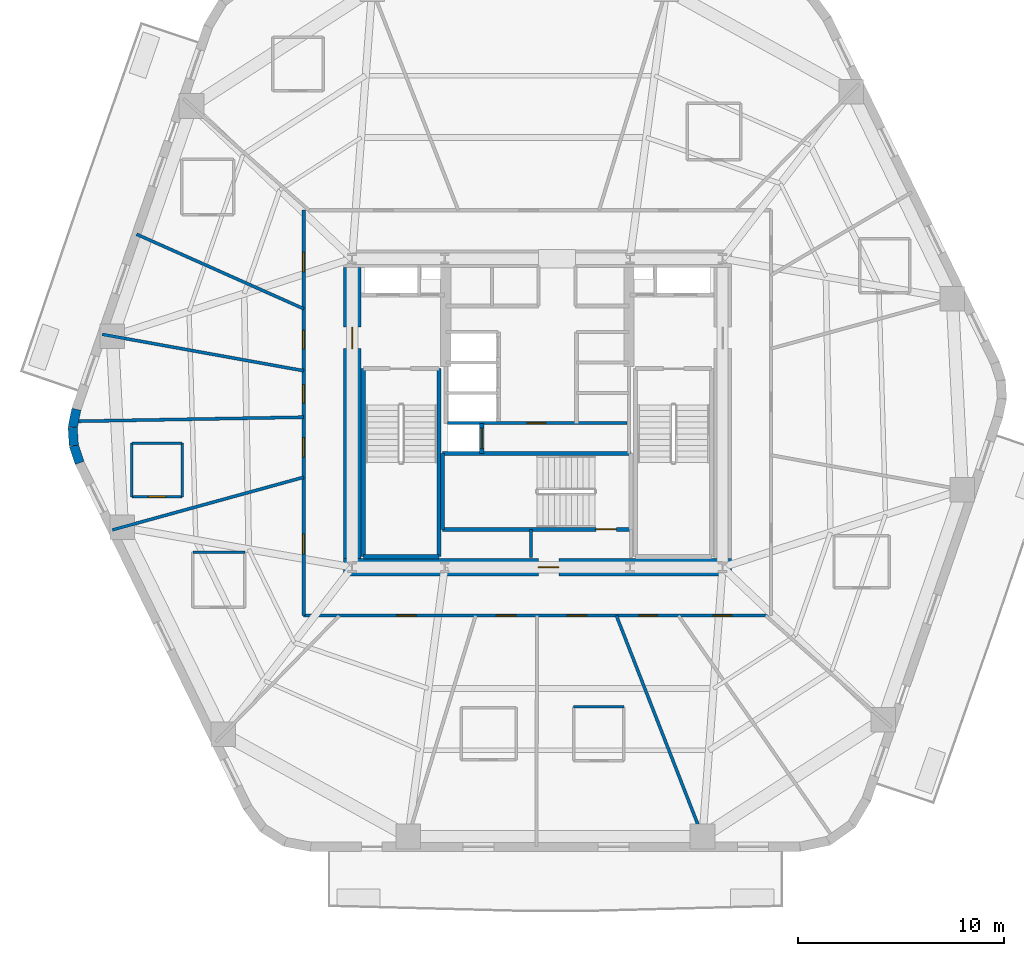
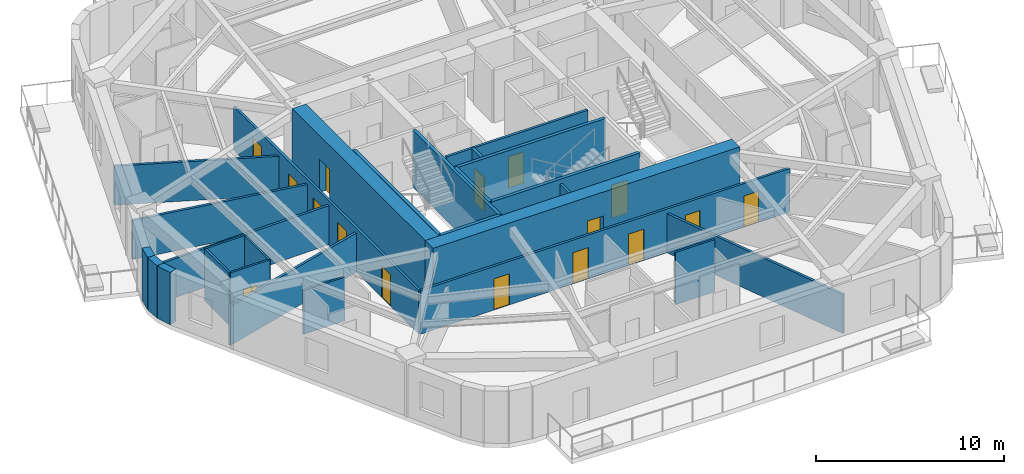
# One storey, part 3 of 8: 27 walls, 16 doors, 16 openings.
"""IFC4 building model written with IfcOpenShell, lengths in metres."""

from ifc_helpers import new_model, si_unit, direction, frame, frame_2d, origin, place, context, subcontext, project, spatial, rectangle, extrude, material, layer, layer_set, type_object, element, fill, save


model = new_model("IFC4")

# Units and contexts
model_context = context("Model", 3, precision=1e-05, world=origin(), true_north=direction((0.0, 1.0)))
body_context = subcontext(model_context, "Body", "Model", "MODEL_VIEW")
ifc_project = project(units=[si_unit("LENGTHUNIT", "METRE"), si_unit("AREAUNIT", "SQUARE_METRE"), si_unit("VOLUMEUNIT", "CUBIC_METRE"), si_unit("PLANEANGLEUNIT", "RADIAN"), si_unit("MASSUNIT", "GRAM", prefix="KILO")], contexts=[model_context])

# Site, building, storey
site_placement = place(None, origin())
site = spatial("IfcSite", under=ifc_project, at=site_placement, CompositionType="ELEMENT")
building_placement = place(site_placement, origin())
building = spatial("IfcBuilding", under=site, at=building_placement, Name="Kilnhurst Terrace Hotel", CompositionType="ELEMENT")
storey_placement = place(building_placement, frame((0.0, 0.0, 106.199951171875)))
storey = spatial("IfcBuildingStorey", under=building, at=storey_placement, Name="L25", CompositionType="ELEMENT", Elevation=106.199951171875)

# Walls
ifc_material_1 = material(Name="Precast concrete C40/50", Category="concrete")
ifc_layer_1 = layer(ifc_material_1, 0.449951171875, Name="Precast concrete C40/50")
ifc_layer_set_1 = layer_set([ifc_layer_1], Name="Precast concrete C40/50")
wall_type_1 = type_object("IfcWallType", Name="WL-BRK-450", PredefinedType="SOLIDWALL", material=ifc_layer_set_1)
wall_1_placement = place(storey_placement, frame((-22.39697265625, 0.17919921875, 0.0), z_axis=(0.0, 0.0, 1.0), x_axis=(-0.199313589404, -0.979935759669, 0.0)))
element("IfcWall", 1, at=wall_1_placement, inside=storey, type_object=wall_type_1, Name="L25 Rounded Corner Brick Wall C6.1", PredefinedType="SOLIDWALL", context=body_context, shape_type="SweptSolid", body=[
    extrude(rectangle(XDim=0.8955078125, YDim=0.449951171875, at=frame_2d((0.44775390625, 0.0))), origin(), (0.0, 0.0, 1.0), 3.400146484375),
])
wall_2_placement = place(storey_placement, frame((-22.575439453125, -0.6982421875, 0.0), z_axis=(0.0, 0.0, 1.0), x_axis=(0.060980441946, -0.998138961117, 0.0)))
element("IfcWall", 2, at=wall_2_placement, inside=storey, type_object=wall_type_1, Name="L25 Rounded Corner Brick Wall C6.2", PredefinedType="SOLIDWALL", context=body_context, shape_type="SweptSolid", body=[
    extrude(rectangle(XDim=0.880859375, YDim=0.449951171875, at=frame_2d((0.4404296875, 0.0))), origin(), (0.0, 0.0, 1.0), 3.400146484375),
])
wall_3_placement = place(storey_placement, frame((-22.521728515625, -1.577392578125, 0.0), z_axis=(0.0, 0.0, 1.0), x_axis=(0.317372694837, -0.948300887151, 0.0)))
element("IfcWall", 3, at=wall_3_placement, inside=storey, type_object=wall_type_1, Name="L25 Rounded Corner Brick Wall C6.3", PredefinedType="SOLIDWALL", context=body_context, shape_type="SweptSolid", body=[
    extrude(rectangle(XDim=0.8955078125, YDim=0.449951171875, at=frame_2d((0.44775390625, 0.0))), origin(), (0.0, 0.0, 1.0), 3.400146484375),
])

# Wall, openings, doors
ifc_material_2 = material(Name="Acoustic Double-Gypsum Corridor Partition Assembly")
ifc_layer_2 = layer(ifc_material_2, 0.14990234375, Name="Acoustic Double-Gypsum Corridor Partition Assembly")
ifc_layer_set_2 = layer_set([ifc_layer_2], Name="Acoustic Double-Gypsum Corridor Partition Assembly")
wall_type_2 = type_object("IfcWallType", Name="WL-COR-150", PredefinedType="PARTITIONING", material=ifc_layer_set_2)
wall_4_placement = place(storey_placement, frame((-11.35009765625, -9.85009765625, 0.0), z_axis=(0.0, 0.0, 1.0), x_axis=(0.0, 1.0, 0.0)))
wall_4 = element("IfcWall", 4, at=wall_4_placement, inside=storey, type_object=wall_type_2, Name="L25 Interior Wall WL-L25-COR-01", PredefinedType="PARTITIONING", context=body_context, shape_type="SweptSolid", body=[
    extrude(rectangle(XDim=19.7001953125, YDim=0.14990234375, at=frame_2d((9.85009765625, 0.0))), origin(), (0.0, 0.0, 1.0), 2.840087890625),
])
opening_1_placement = place(wall_4_placement, frame((16.7109375, 0.0, 0.0)))
opening_1 = element("IfcOpeningElement", 5, at=opening_1_placement, cuts=wall_4, Name="Opening D-60B", PredefinedType="OPENING", context=body_context, shape_type="SweptSolid", body=[
    extrude(rectangle(XDim=0.949951171875, YDim=2.030029296875, at=frame_2d((0.47509765625, 1.01513671875))), frame((0.0, 0.0849609375, 0.0), z_axis=(0.0, -1.0, 0.0), x_axis=(1.0, 0.0, 0.0)), (0.0, 0.0, 1.0), 0.169921875),
])
opening_2_placement = place(wall_4_placement, frame((12.968017578125, 0.0, 0.0)))
opening_2 = element("IfcOpeningElement", 6, at=opening_2_placement, cuts=wall_4, Name="Opening D-60C", PredefinedType="OPENING", context=body_context, shape_type="SweptSolid", body=[
    extrude(rectangle(XDim=0.89990234375, YDim=2.030029296875, at=frame_2d((0.449951171875, 1.01513671875))), frame((0.0, 0.0849609375, 0.0), z_axis=(0.0, -1.0, 0.0), x_axis=(1.0, 0.0, 0.0)), (0.0, 0.0, 1.0), 0.169921875),
])
opening_3_placement = place(wall_4_placement, frame((10.324951171875, 0.0, 0.0)))
opening_3 = element("IfcOpeningElement", 7, at=opening_3_placement, cuts=wall_4, Name="Opening D-60C", PredefinedType="OPENING", context=body_context, shape_type="SweptSolid", body=[
    extrude(rectangle(XDim=0.89990234375, YDim=2.030029296875, at=frame_2d((0.449951171875, 1.01513671875))), frame((0.0, 0.0849609375, 0.0), z_axis=(0.0, -1.0, 0.0), x_axis=(1.0, 0.0, 0.0)), (0.0, 0.0, 1.0), 0.169921875),
])
opening_4_placement = place(wall_4_placement, frame((7.7060546875, 0.0, 0.0)))
opening_4 = element("IfcOpeningElement", 8, at=opening_4_placement, cuts=wall_4, Name="Opening D-60B", PredefinedType="OPENING", context=body_context, shape_type="SweptSolid", body=[
    extrude(rectangle(XDim=0.949951171875, YDim=2.030029296875, at=frame_2d((0.47509765625, 1.01513671875))), frame((0.0, 0.0849609375, 0.0), z_axis=(0.0, -1.0, 0.0), x_axis=(1.0, 0.0, 0.0)), (0.0, 0.0, 1.0), 0.169921875),
])
opening_5_placement = place(wall_4_placement, frame((3.008056640625, 0.0, 0.0)))
opening_5 = element("IfcOpeningElement", 9, at=opening_5_placement, cuts=wall_4, Name="Opening D-60B", PredefinedType="OPENING", context=body_context, shape_type="SweptSolid", body=[
    extrude(rectangle(XDim=0.949951171875, YDim=2.030029296875, at=frame_2d((0.47509765625, 1.01513671875))), frame((0.0, 0.0849609375, 0.0), z_axis=(0.0, -1.0, 0.0), x_axis=(1.0, 0.0, 0.0)), (0.0, 0.0, 1.0), 0.169921875),
])
ifc_material_3 = material(Name="Painted Solid-Core Service Fire Door")
door_type_1 = type_object("IfcDoorType", Name="DR-FD60-900", OperationType="NOTDEFINED", PredefinedType="DOOR", material=ifc_material_3)
door_1_placement = place(opening_2_placement, origin())
door_1 = element("IfcDoor", 10, at=door_1_placement, inside=storey, type_object=door_type_1, Name="L25 Executive Work Office Door 7", OperationType="SINGLE_SWING_LEFT", OverallHeight=2.030029296875, OverallWidth=0.89990234375, PredefinedType="DOOR", context=body_context, shape_type="SweptSolid", body=[
    extrude(rectangle(XDim=0.89990234375, YDim=2.030029296875, at=frame_2d((0.449951171875, 1.01513671875))), frame((0.0, 0.02490234375, 0.0), z_axis=(0.0, -1.0, 0.0), x_axis=(1.0, 0.0, 0.0)), (0.0, 0.0, 1.0), 0.050048828125),
])
fill(opening_2, door_1)
door_2_placement = place(opening_3_placement, origin())
door_2 = element("IfcDoor", 11, at=door_2_placement, inside=storey, type_object=door_type_1, Name="L25 Botanical Reading Lounge Door 8", OperationType="SINGLE_SWING_RIGHT", OverallHeight=2.030029296875, OverallWidth=0.89990234375, PredefinedType="DOOR", context=body_context, shape_type="SweptSolid", body=[
    extrude(rectangle(XDim=0.89990234375, YDim=2.030029296875, at=frame_2d((0.449951171875, 1.01513671875))), frame((0.0, 0.02490234375, 0.0), z_axis=(0.0, -1.0, 0.0), x_axis=(1.0, 0.0, 0.0)), (0.0, 0.0, 1.0), 0.050048828125),
])
fill(opening_3, door_2)
ifc_material_4 = material(Name="Acoustic Walnut Veneer Solid-Core Fire Door")
door_type_2 = type_object("IfcDoorType", Name="DR-FD60-950", OperationType="NOTDEFINED", PredefinedType="DOOR", material=ifc_material_4)
door_3_placement = place(opening_1_placement, origin())
door_3 = element("IfcDoor", 12, at=door_3_placement, inside=storey, type_object=door_type_2, Name="L25 Guest Room Entry Door 6", OperationType="SINGLE_SWING_RIGHT", OverallHeight=2.030029296875, OverallWidth=0.949951171875, PredefinedType="DOOR", context=body_context, shape_type="SweptSolid", body=[
    extrude(rectangle(XDim=0.949951171875, YDim=2.030029296875, at=frame_2d((0.47509765625, 1.01513671875))), frame((0.0, 0.02490234375, 0.0), z_axis=(0.0, -1.0, 0.0), x_axis=(1.0, 0.0, 0.0)), (0.0, 0.0, 1.0), 0.050048828125),
])
fill(opening_1, door_3)
door_4_placement = place(opening_4_placement, origin())
door_4 = element("IfcDoor", 13, at=door_4_placement, inside=storey, type_object=door_type_2, Name="L25 Guest Room Entry Door 9", OperationType="SINGLE_SWING_LEFT", OverallHeight=2.030029296875, OverallWidth=0.949951171875, PredefinedType="DOOR", context=body_context, shape_type="SweptSolid", body=[
    extrude(rectangle(XDim=0.949951171875, YDim=2.030029296875, at=frame_2d((0.47509765625, 1.01513671875))), frame((0.0, 0.02490234375, 0.0), z_axis=(0.0, -1.0, 0.0), x_axis=(1.0, 0.0, 0.0)), (0.0, 0.0, 1.0), 0.050048828125),
])
fill(opening_4, door_4)
door_5_placement = place(opening_5_placement, origin())
door_5 = element("IfcDoor", 14, at=door_5_placement, inside=storey, type_object=door_type_2, Name="L25 Executive Suite Entry Door 10", OperationType="SINGLE_SWING_RIGHT", OverallHeight=2.030029296875, OverallWidth=0.949951171875, PredefinedType="DOOR", context=body_context, shape_type="SweptSolid", body=[
    extrude(rectangle(XDim=0.949951171875, YDim=2.030029296875, at=frame_2d((0.47509765625, 1.01513671875))), frame((0.0, 0.02490234375, 0.0), z_axis=(0.0, -1.0, 0.0), x_axis=(1.0, 0.0, 0.0)), (0.0, 0.0, 1.0), 0.050048828125),
])
fill(opening_5, door_5)

wall_5_placement = place(storey_placement, frame((11.35009765625, -9.85009765625, 0.0), z_axis=(0.0, 0.0, 1.0), x_axis=(-1.0, 0.0, 0.0)))
wall_5 = element("IfcWall", 15, at=wall_5_placement, inside=storey, type_object=wall_type_2, Name="L25 Interior Wall WL-L25-COR-04", PredefinedType="PARTITIONING", context=body_context, shape_type="SweptSolid", body=[
    extrude(rectangle(XDim=22.7001953125, YDim=0.14990234375, at=frame_2d((11.35009765625, 0.0))), origin(), (0.0, 0.0, 1.0), 2.840087890625),
])
opening_6_placement = place(wall_5_placement, frame((17.237060546875, 0.0, 0.0)))
opening_6 = element("IfcOpeningElement", 16, at=opening_6_placement, cuts=wall_5, Name="Opening D-60B", PredefinedType="OPENING", context=body_context, shape_type="SweptSolid", body=[
    extrude(rectangle(XDim=0.949951171875, YDim=2.030029296875, at=frame_2d((0.47509765625, 1.01513671875))), frame((0.0, 0.0849609375, 0.0), z_axis=(0.0, -1.0, 0.0), x_axis=(1.0, 0.0, 0.0)), (0.0, 0.0, 1.0), 0.169921875),
])
opening_7_placement = place(wall_5_placement, frame((12.389892578125, 0.0, 0.0)))
opening_7 = element("IfcOpeningElement", 17, at=opening_7_placement, cuts=wall_5, Name="Opening D-60B", PredefinedType="OPENING", context=body_context, shape_type="SweptSolid", body=[
    extrude(rectangle(XDim=0.949951171875, YDim=2.030029296875, at=frame_2d((0.47509765625, 1.01513671875))), frame((0.0, 0.0849609375, 0.0), z_axis=(0.0, -1.0, 0.0), x_axis=(1.0, 0.0, 0.0)), (0.0, 0.0, 1.0), 0.169921875),
])
opening_8_placement = place(wall_5_placement, frame((8.9541015625, 0.0, 0.0)))
opening_8 = element("IfcOpeningElement", 18, at=opening_8_placement, cuts=wall_5, Name="Opening D-60B", PredefinedType="OPENING", context=body_context, shape_type="SweptSolid", body=[
    extrude(rectangle(XDim=0.949951171875, YDim=2.030029296875, at=frame_2d((0.47509765625, 1.01513671875))), frame((0.0, 0.0849609375, 0.0), z_axis=(0.0, -1.0, 0.0), x_axis=(1.0, 0.0, 0.0)), (0.0, 0.0, 1.0), 0.169921875),
])
opening_9_placement = place(wall_5_placement, frame((5.52197265625, 0.0, 0.0)))
opening_9 = element("IfcOpeningElement", 19, at=opening_9_placement, cuts=wall_5, Name="Opening D-60C", PredefinedType="OPENING", context=body_context, shape_type="SweptSolid", body=[
    extrude(rectangle(XDim=0.89990234375, YDim=2.030029296875, at=frame_2d((0.449951171875, 1.01513671875))), frame((0.0, 0.0849609375, 0.0), z_axis=(0.0, -1.0, 0.0), x_axis=(1.0, 0.0, 0.0)), (0.0, 0.0, 1.0), 0.169921875),
])
opening_10_placement = place(wall_5_placement, frame((1.9140625, 0.0, 0.0)))
opening_10 = element("IfcOpeningElement", 20, at=opening_10_placement, cuts=wall_5, Name="Opening D-60C", PredefinedType="OPENING", context=body_context, shape_type="SweptSolid", body=[
    extrude(rectangle(XDim=0.89990234375, YDim=2.030029296875, at=frame_2d((0.449951171875, 1.01513671875))), frame((0.0, 0.0849609375, 0.0), z_axis=(0.0, -1.0, 0.0), x_axis=(1.0, 0.0, 0.0)), (0.0, 0.0, 1.0), 0.169921875),
])
door_6_placement = place(opening_9_placement, origin())
door_6 = element("IfcDoor", 21, at=door_6_placement, inside=storey, type_object=door_type_1, Name="L25 Private Meeting Salon Door 14", OperationType="SINGLE_SWING_RIGHT", OverallHeight=2.030029296875, OverallWidth=0.89990234375, PredefinedType="DOOR", context=body_context, shape_type="SweptSolid", body=[
    extrude(rectangle(XDim=0.89990234375, YDim=2.030029296875, at=frame_2d((0.449951171875, 1.01513671875))), frame((0.0, 0.02490234375, 0.0), z_axis=(0.0, -1.0, 0.0), x_axis=(1.0, 0.0, 0.0)), (0.0, 0.0, 1.0), 0.050048828125),
])
fill(opening_9, door_6)
door_7_placement = place(opening_10_placement, origin())
door_7 = element("IfcDoor", 22, at=door_7_placement, inside=storey, type_object=door_type_1, Name="L25 Wellness Consultation Room Door 15", OperationType="SINGLE_SWING_LEFT", OverallHeight=2.030029296875, OverallWidth=0.89990234375, PredefinedType="DOOR", context=body_context, shape_type="SweptSolid", body=[
    extrude(rectangle(XDim=0.89990234375, YDim=2.030029296875, at=frame_2d((0.449951171875, 1.01513671875))), frame((0.0, 0.02490234375, 0.0), z_axis=(0.0, -1.0, 0.0), x_axis=(1.0, 0.0, 0.0)), (0.0, 0.0, 1.0), 0.050048828125),
])
fill(opening_10, door_7)
door_8_placement = place(opening_6_placement, origin())
door_8 = element("IfcDoor", 23, at=door_8_placement, inside=storey, type_object=door_type_2, Name="L25 Fitness Movement Studio Door", OperationType="SINGLE_SWING_LEFT", OverallHeight=2.030029296875, OverallWidth=0.949951171875, PredefinedType="DOOR", context=body_context, shape_type="SweptSolid", body=[
    extrude(rectangle(XDim=0.949951171875, YDim=2.030029296875, at=frame_2d((0.47509765625, 1.01513671875))), frame((0.0, 0.02490234375, 0.0), z_axis=(0.0, -1.0, 0.0), x_axis=(1.0, 0.0, 0.0)), (0.0, 0.0, 1.0), 0.050048828125),
])
fill(opening_6, door_8)
door_9_placement = place(opening_7_placement, origin())
door_9 = element("IfcDoor", 24, at=door_9_placement, inside=storey, type_object=door_type_2, Name="L25 Guest Room Entry Door 12", OperationType="SINGLE_SWING_RIGHT", OverallHeight=2.030029296875, OverallWidth=0.949951171875, PredefinedType="DOOR", context=body_context, shape_type="SweptSolid", body=[
    extrude(rectangle(XDim=0.949951171875, YDim=2.030029296875, at=frame_2d((0.47509765625, 1.01513671875))), frame((0.0, 0.02490234375, 0.0), z_axis=(0.0, -1.0, 0.0), x_axis=(1.0, 0.0, 0.0)), (0.0, 0.0, 1.0), 0.050048828125),
])
fill(opening_7, door_9)
door_10_placement = place(opening_8_placement, origin())
door_10 = element("IfcDoor", 25, at=door_10_placement, inside=storey, type_object=door_type_2, Name="L25 Guest Room Entry Door 13", OperationType="SINGLE_SWING_LEFT", OverallHeight=2.030029296875, OverallWidth=0.949951171875, PredefinedType="DOOR", context=body_context, shape_type="SweptSolid", body=[
    extrude(rectangle(XDim=0.949951171875, YDim=2.030029296875, at=frame_2d((0.47509765625, 1.01513671875))), frame((0.0, 0.02490234375, 0.0), z_axis=(0.0, -1.0, 0.0), x_axis=(1.0, 0.0, 0.0)), (0.0, 0.0, 1.0), 0.050048828125),
])
fill(opening_8, door_10)

# Wall, opening, door
ifc_material_5 = material(Name="Concrete C80/95", Category="concrete")
ifc_layer_3 = layer(ifc_material_5, 0.85009765625, Name="Concrete C80/95")
ifc_layer_set_3 = layer_set([ifc_layer_3], Name="Concrete C80/95")
wall_type_3 = type_object("IfcWallType", Name="WL-CORE-850", PredefinedType="SHEAR", material=ifc_layer_set_3)
wall_6_placement = place(storey_placement, frame((-9.425048828125, -7.5, 0.0), z_axis=(0.0, 0.0, 1.0), x_axis=(1.0, 0.0, 0.0)))
wall_6 = element("IfcWall", 26, at=wall_6_placement, inside=storey, type_object=wall_type_3, Name="L25 Core South Shear Wall", PredefinedType="SHEAR", context=body_context, shape_type="SweptSolid", body=[
    extrude(rectangle(XDim=18.85009765625, YDim=0.85009765625, at=frame_2d((9.425048828125, 0.0))), origin(), (0.0, 0.0, 1.0), 3.699951171875),
])
opening_11_placement = place(wall_6_placement, frame((9.47509765625, 0.0, 0.0)))
opening_11 = element("IfcOpeningElement", 27, at=opening_11_placement, cuts=wall_6, Name="Opening D-90B", PredefinedType="OPENING", context=body_context, shape_type="SweptSolid", body=[
    extrude(rectangle(XDim=1.0, YDim=2.14990234375, at=frame_2d((0.5, 1.074951171875))), frame((0.0, 0.43505859375, 0.0), z_axis=(0.0, -1.0, 0.0), x_axis=(1.0, 0.0, 0.0)), (0.0, 0.0, 1.0), 0.8701171875),
])
ifc_material_6 = material(Name="Painted Hollow Metal Steel ASTM A36 Fire Door", Category="steel")
door_type_3 = type_object("IfcDoorType", Name="DR-FD90-1000", OperationType="NOTDEFINED", PredefinedType="DOOR", material=ifc_material_6)
door_11_placement = place(opening_11_placement, origin())
door_11 = element("IfcDoor", 28, at=door_11_placement, inside=storey, type_object=door_type_3, Name="L25 Stair ST-3 Corridor Door", OperationType="SINGLE_SWING_RIGHT", OverallHeight=2.14990234375, OverallWidth=1.0, PredefinedType="DOOR", context=body_context, shape_type="SweptSolid", body=[
    extrude(rectangle(XDim=1.0, YDim=2.14990234375, at=frame_2d((0.5, 1.074951171875))), frame((0.0, 0.02490234375, 0.0), z_axis=(0.0, -1.0, 0.0), x_axis=(1.0, 0.0, 0.0)), (0.0, 0.0, 1.0), 0.050048828125),
])
fill(opening_11, door_11)

wall_7_placement = place(storey_placement, frame((-9.0, -7.074951171875, 0.0), z_axis=(0.0, 0.0, 1.0), x_axis=(0.0, 1.0, 0.0)))
wall_7 = element("IfcWall", 29, at=wall_7_placement, inside=storey, type_object=wall_type_3, Name="L25 Core West Shear Wall", PredefinedType="SHEAR", context=body_context, shape_type="SweptSolid", body=[
    extrude(rectangle(XDim=14.14990234375, YDim=0.85009765625, at=frame_2d((7.074951171875, 0.0))), origin(), (0.0, 0.0, 1.0), 3.699951171875),
])
opening_12_placement = place(wall_7_placement, frame((10.199951171875, 0.0, 0.0)))
opening_12 = element("IfcOpeningElement", 30, at=opening_12_placement, cuts=wall_7, Name="Opening D-90A", PredefinedType="OPENING", context=body_context, shape_type="SweptSolid", body=[
    extrude(rectangle(XDim=1.050048828125, YDim=2.14990234375, at=frame_2d((0.52490234375, 1.074951171875))), frame((0.0, 0.43505859375, 0.0), z_axis=(0.0, -1.0, 0.0), x_axis=(1.0, 0.0, 0.0)), (0.0, 0.0, 1.0), 0.8701171875),
])
door_type_4 = type_object("IfcDoorType", Name="DR-FD90-1050", OperationType="NOTDEFINED", PredefinedType="DOOR", material=ifc_material_6)
door_12_placement = place(opening_12_placement, origin())
door_12 = element("IfcDoor", 31, at=door_12_placement, inside=storey, type_object=door_type_4, Name="L25 West Firefighting Lobby Door", OperationType="SINGLE_SWING_RIGHT", OverallHeight=2.14990234375, OverallWidth=1.050048828125, PredefinedType="DOOR", context=body_context, shape_type="SweptSolid", body=[
    extrude(rectangle(XDim=1.050048828125, YDim=2.14990234375, at=frame_2d((0.52490234375, 1.074951171875))), frame((0.0, 0.02490234375, 0.0), z_axis=(0.0, -1.0, 0.0), x_axis=(1.0, 0.0, 0.0)), (0.0, 0.0, 1.0), 0.050048828125),
])
fill(opening_12, door_12)

# Walls
ifc_material_7 = material(Name="STC-58 Acoustic Twin-Frame Guestroom Demising Partition")
ifc_layer_4 = layer(ifc_material_7, 0.14990234375, Name="STC-58 Acoustic Twin-Frame Guestroom Demising Partition")
ifc_layer_set_4 = layer_set([ifc_layer_4], Name="STC-58 Acoustic Twin-Frame Guestroom Demising Partition")
wall_type_4 = type_object("IfcWallType", Name="WL-DEM-150", PredefinedType="PARTITIONING", material=ifc_layer_set_4)
wall_8_placement = place(storey_placement, frame((-11.35009765625, 5.061767578125, 0.0), z_axis=(0.0, 0.0, 1.0), x_axis=(-0.91329663997, 0.407295037312, 0.0)))
element("IfcWall", 32, at=wall_8_placement, inside=storey, type_object=wall_type_4, Name="L25 Interior Wall WL-L25-DEM-MID05-07-1", PredefinedType="PARTITIONING", context=body_context, shape_type="SweptSolid", body=[
    extrude(rectangle(XDim=8.889404296875, YDim=0.14990234375, at=frame_2d((4.44482421875, 0.0))), origin(), (0.0, 0.0, 1.0), 2.5400390625),
])
wall_9_placement = place(storey_placement, frame((-11.35009765625, 2.05078125, 0.0), z_axis=(0.0, 0.0, 1.0), x_axis=(-0.984068313063, 0.177790762484, 0.0)))
element("IfcWall", 33, at=wall_9_placement, inside=storey, type_object=wall_type_4, Name="L25 Interior Wall WL-L25-DEM-COL06-08-1", PredefinedType="PARTITIONING", context=body_context, shape_type="SweptSolid", body=[
    extrude(rectangle(XDim=9.951416015625, YDim=0.14990234375, at=frame_2d((4.9755859375, 0.0))), origin(), (0.0, 0.0, 1.0), 2.5400390625),
])
wall_10_placement = place(storey_placement, frame((-11.35009765625, -0.205078125, 0.0), z_axis=(0.0, 0.0, 1.0), x_axis=(-0.999836907568, -0.018059852275, 0.0)))
element("IfcWall", 34, at=wall_10_placement, inside=storey, type_object=wall_type_4, Name="L25 Interior Wall WL-L25-DEM-MID06-09-1", PredefinedType="PARTITIONING", context=body_context, shape_type="SweptSolid", body=[
    extrude(rectangle(XDim=11.00390625, YDim=0.14990234375, at=frame_2d((5.501953125, 0.0))), origin(), (0.0, 0.0, 1.0), 2.5400390625),
])
wall_11_placement = place(storey_placement, frame((-11.35009765625, -3.123291015625, 0.0), z_axis=(0.0, 0.0, 1.0), x_axis=(-0.964151983214, -0.265350623261, 0.0)))
element("IfcWall", 35, at=wall_11_placement, inside=storey, type_object=wall_type_4, Name="L25 Interior Wall WL-L25-DEM-COL07-10-1", PredefinedType="PARTITIONING", context=body_context, shape_type="SweptSolid", body=[
    extrude(rectangle(XDim=9.64501953125, YDim=0.14990234375, at=frame_2d((4.822509765625, 0.0))), origin(), (0.0, 0.0, 1.0), 2.5400390625),
])
wall_12_placement = place(storey_placement, frame((3.84228515625, -9.85009765625, 0.0), z_axis=(0.0, 0.0, 1.0), x_axis=(0.363432685593, -0.931620460833, 0.0)))
element("IfcWall", 36, at=wall_12_placement, inside=storey, type_object=wall_type_4, Name="L25 Interior Wall WL-L25-DEM-COL10-14-1", PredefinedType="PARTITIONING", context=body_context, shape_type="SweptSolid", body=[
    extrude(rectangle(XDim=12.048828125, YDim=0.14990234375, at=frame_2d((6.0244140625, 0.0))), origin(), (0.0, 0.0, 1.0), 2.5400390625),
])

# Wall, opening, door
ifc_material_8 = material(Name="120 mm Moisture-Resistant Tile-Backed Bathroom Partition")
ifc_layer_5 = layer(ifc_material_8, 0.1201171875, Name="120 mm Moisture-Resistant Tile-Backed Bathroom Partition")
ifc_layer_set_5 = layer_set([ifc_layer_5], Name="120 mm Moisture-Resistant Tile-Backed Bathroom Partition")
wall_type_5 = type_object("IfcWallType", Name="WL-PART-120", PredefinedType="PARTITIONING", material=ifc_layer_set_5)
wall_13_placement = place(storey_placement, frame((-19.697998046875, -4.071044921875, 0.0), z_axis=(0.0, 0.0, 1.0), x_axis=(1.0, 0.0, 0.0)))
wall_13 = element("IfcWall", 37, at=wall_13_placement, inside=storey, type_object=wall_type_5, Name="L25 Interior Wall WL-L25-BTH-09-1", PredefinedType="PARTITIONING", context=body_context, shape_type="SweptSolid", body=[
    extrude(rectangle(XDim=2.43994140625, YDim=0.1201171875, at=frame_2d((1.219970703125, 0.0))), origin(), (0.0, 0.0, 1.0), 3.400146484375),
])
opening_13_placement = place(wall_13_placement, frame((0.794921875, 0.0, 0.0)))
opening_13 = element("IfcOpeningElement", 38, at=opening_13_placement, cuts=wall_13, Name="Opening D-08A", PredefinedType="OPENING", context=body_context, shape_type="SweptSolid", body=[
    extrude(rectangle(XDim=0.85009765625, YDim=2.030029296875, at=frame_2d((0.425048828125, 1.01513671875))), frame((0.0, 0.070068359375, 0.0), z_axis=(0.0, -1.0, 0.0), x_axis=(1.0, 0.0, 0.0)), (0.0, 0.0, 1.0), 0.14013671875),
])
ifc_material_9 = material(Name="Moisture-Resistant Lacquered En-suite Bathroom Door")
door_type_5 = type_object("IfcDoorType", Name="DR-INT-850", OperationType="NOTDEFINED", PredefinedType="DOOR", material=ifc_material_9)
door_13_placement = place(opening_13_placement, origin())
door_13 = element("IfcDoor", 39, at=door_13_placement, inside=storey, type_object=door_type_5, Name="L25 En-suite Bathroom Door 9", OperationType="SINGLE_SWING_RIGHT", OverallHeight=2.030029296875, OverallWidth=0.85009765625, PredefinedType="DOOR", context=body_context, shape_type="SweptSolid", body=[
    extrude(rectangle(XDim=0.85009765625, YDim=2.030029296875, at=frame_2d((0.425048828125, 1.01513671875))), frame((0.0, 0.02490234375, 0.0), z_axis=(0.0, -1.0, 0.0), x_axis=(1.0, 0.0, 0.0)), (0.0, 0.0, 1.0), 0.050048828125),
])
fill(opening_13, door_13)

# Walls
wall_14_placement = place(storey_placement, frame((-17.258056640625, -4.071044921875, 0.0), z_axis=(0.0, 0.0, 1.0), x_axis=(0.0, 1.0, 0.0)))
element("IfcWall", 40, at=wall_14_placement, inside=storey, type_object=wall_type_5, Name="L25 Interior Wall WL-L25-BTH-09-2", PredefinedType="PARTITIONING", context=body_context, shape_type="SweptSolid", body=[
    extrude(rectangle(XDim=2.610107421875, YDim=0.1201171875, at=frame_2d((1.30517578125, 0.0))), origin(), (0.0, 0.0, 1.0), 3.400146484375),
])
wall_15_placement = place(storey_placement, frame((-17.258056640625, -1.4609375, 0.0), z_axis=(0.0, 0.0, 1.0), x_axis=(-1.0, 0.0, 0.0)))
element("IfcWall", 41, at=wall_15_placement, inside=storey, type_object=wall_type_5, Name="L25 Interior Wall WL-L25-BTH-09-3", PredefinedType="PARTITIONING", context=body_context, shape_type="SweptSolid", body=[
    extrude(rectangle(XDim=2.43994140625, YDim=0.1201171875, at=frame_2d((1.219970703125, 0.0))), origin(), (0.0, 0.0, 1.0), 3.400146484375),
])
wall_16_placement = place(storey_placement, frame((-19.697998046875, -1.4609375, 0.0), z_axis=(0.0, 0.0, 1.0), x_axis=(0.0, -1.0, 0.0)))
element("IfcWall", 42, at=wall_16_placement, inside=storey, type_object=wall_type_5, Name="L25 Interior Wall WL-L25-BTH-09-4", PredefinedType="PARTITIONING", context=body_context, shape_type="SweptSolid", body=[
    extrude(rectangle(XDim=2.610107421875, YDim=0.1201171875, at=frame_2d((1.30517578125, 0.0))), origin(), (0.0, 0.0, 1.0), 3.400146484375),
])
wall_17_placement = place(storey_placement, frame((-14.215087890625, -6.764892578125, 0.0), z_axis=(0.0, 0.0, 1.0), x_axis=(-1.0, 0.0, 0.0)))
element("IfcWall", 43, at=wall_17_placement, inside=storey, type_object=wall_type_5, Name="L25 Interior Wall WL-L25-BTH-10-3", PredefinedType="PARTITIONING", context=body_context, shape_type="SweptSolid", body=[
    extrude(rectangle(XDim=2.52001953125, YDim=0.1201171875, at=frame_2d((1.260009765625, 0.0))), origin(), (0.0, 0.0, 1.0), 2.840087890625),
])
wall_18_placement = place(storey_placement, frame((4.20703125, -14.281982421875, 0.0), z_axis=(0.0, 0.0, 1.0), x_axis=(-1.0, 0.0, 0.0)))
element("IfcWall", 44, at=wall_18_placement, inside=storey, type_object=wall_type_5, Name="L25 Interior Wall WL-L25-BTH-13-3", PredefinedType="PARTITIONING", context=body_context, shape_type="SweptSolid", body=[
    extrude(rectangle(XDim=2.43994140625, YDim=0.1201171875, at=frame_2d((1.219970703125, 0.0))), origin(), (0.0, 0.0, 1.0), 3.400146484375),
])
ifc_material_10 = material(Name="Fire-Rated Gypsum Shaftliner Assembly")
ifc_layer_6 = layer(ifc_material_10, 0.14990234375, Name="Fire-Rated Gypsum Shaftliner Assembly")
ifc_layer_set_6 = layer_set([ifc_layer_6], Name="Fire-Rated Gypsum Shaftliner Assembly")
wall_type_6 = type_object("IfcWallType", Name="WL-SHAFT-150", PredefinedType="PARTITIONING", material=ifc_layer_set_6)
wall_19_placement = place(storey_placement, frame((-0.300048828125, -7.02001953125, 0.0), z_axis=(0.0, 0.0, 1.0), x_axis=(0.0, 1.0, 0.0)))
element("IfcWall", 45, at=wall_19_placement, inside=storey, type_object=wall_type_6, Name="L25 Interior Wall WL-L25-ST3-PSGW", PredefinedType="PARTITIONING", context=body_context, shape_type="SweptSolid", body=[
    extrude(rectangle(XDim=1.362060546875, YDim=0.14990234375, at=frame_2d((0.68115234375, 0.0))), origin(), (0.0, 0.0, 1.0), 3.400146484375),
])

# Wall, opening, door
wall_20_placement = place(storey_placement, frame((-4.360107421875, -0.489990234375, 0.0), z_axis=(0.0, 0.0, 1.0), x_axis=(1.0, 0.0, 0.0)))
wall_20 = element("IfcWall", 46, at=wall_20_placement, inside=storey, type_object=wall_type_6, Name="L25 Interior Wall WL-L25-BOH-N", PredefinedType="PARTITIONING", context=body_context, shape_type="SweptSolid", body=[
    extrude(rectangle(XDim=8.72021484375, YDim=0.14990234375, at=frame_2d((4.360107421875, 0.0))), origin(), (0.0, 0.0, 1.0), 3.400146484375),
])
opening_14_placement = place(wall_20_placement, frame((3.860107421875, 0.0, 0.0)))
opening_14 = element("IfcOpeningElement", 47, at=opening_14_placement, cuts=wall_20, Name="Opening D-60C", PredefinedType="OPENING", context=body_context, shape_type="SweptSolid", body=[
    extrude(rectangle(XDim=0.89990234375, YDim=2.030029296875, at=frame_2d((0.449951171875, 1.01513671875))), frame((0.0, 0.0849609375, 0.0), z_axis=(0.0, -1.0, 0.0), x_axis=(1.0, 0.0, 0.0)), (0.0, 0.0, 1.0), 0.169921875),
])
door_14_placement = place(opening_14_placement, origin())
door_14 = element("IfcDoor", 48, at=door_14_placement, inside=storey, type_object=door_type_1, Name="L25 Housekeeping Laundry Door", OperationType="SINGLE_SWING_LEFT", OverallHeight=2.030029296875, OverallWidth=0.89990234375, PredefinedType="DOOR", context=body_context, shape_type="SweptSolid", body=[
    extrude(rectangle(XDim=0.89990234375, YDim=2.030029296875, at=frame_2d((0.449951171875, 1.01513671875))), frame((0.0, 0.02490234375, 0.0), z_axis=(0.0, -1.0, 0.0), x_axis=(1.0, 0.0, 0.0)), (0.0, 0.0, 1.0), 0.050048828125),
])
fill(opening_14, door_14)

ifc_material_11 = material(Name="Autoclaved Aerated Concrete C30/37 and Gypsum Shaft Assembly", Category="concrete")
ifc_layer_7 = layer(ifc_material_11, 0.199951171875, Name="Autoclaved Aerated Concrete C30/37 and Gypsum Shaft Assembly")
ifc_layer_set_7 = layer_set([ifc_layer_7], Name="Autoclaved Aerated Concrete C30/37 and Gypsum Shaft Assembly")
wall_type_7 = type_object("IfcWallType", Name="WL-SHAFT-200", PredefinedType="PARTITIONING", material=ifc_layer_set_7)
wall_21_placement = place(storey_placement, frame((-2.699951171875, -1.971923828125, 0.0), z_axis=(0.0, 0.0, 1.0), x_axis=(0.0, 1.0, 0.0)))
wall_21 = element("IfcWall", 49, at=wall_21_placement, inside=storey, type_object=wall_type_7, Name="L25 Interior Wall WL-L25-SRV1-E", PredefinedType="PARTITIONING", context=body_context, shape_type="SweptSolid", body=[
    extrude(rectangle(XDim=1.471923828125, YDim=0.199951171875, at=frame_2d((0.73583984375, 0.0))), origin(), (0.0, 0.0, 1.0), 3.400146484375),
])
opening_15_placement = place(wall_21_placement, frame((0.239990234375, 0.0, 0.0)))
opening_15 = element("IfcOpeningElement", 50, at=opening_15_placement, cuts=wall_21, Name="Opening LD-SV", PredefinedType="OPENING", context=body_context, shape_type="SweptSolid", body=[
    extrude(rectangle(XDim=1.0, YDim=2.199951171875, at=frame_2d((0.5, 1.10009765625))), frame((0.0, 0.10986328125, 0.0), z_axis=(0.0, -1.0, 0.0), x_axis=(1.0, 0.0, 0.0)), (0.0, 0.0, 1.0), 0.219970703125),
])
ifc_material_12 = material(Name="Bronze-Anodized Stainless Steel AISI 316L Sliding Door", Category="steel")
door_type_6 = type_object("IfcDoorType", Name="DR-LIFT-1000", OperationType="NOTDEFINED", PredefinedType="DOOR", material=ifc_material_12)
door_15_placement = place(opening_15_placement, origin())
door_15 = element("IfcDoor", 51, at=door_15_placement, inside=storey, type_object=door_type_6, Name="L25 Service Lift SRV-1 Landing Door", OperationType="SLIDING_TO_LEFT", OverallHeight=2.199951171875, OverallWidth=1.0, PredefinedType="DOOR", context=body_context, shape_type="SweptSolid", body=[
    extrude(rectangle(XDim=1.0, YDim=2.199951171875, at=frame_2d((0.5, 1.10009765625))), frame((0.0, 0.02490234375, 0.0), z_axis=(0.0, -1.0, 0.0), x_axis=(1.0, 0.0, 0.0)), (0.0, 0.0, 1.0), 0.050048828125),
])
fill(opening_15, door_15)

# Walls
ifc_material_13 = material(Name="Concrete C50/60", Category="concrete")
ifc_layer_8 = layer(ifc_material_13, 0.199951171875, Name="Concrete C50/60")
ifc_layer_set_8 = layer_set([ifc_layer_8], Name="Concrete C50/60")
wall_type_8 = type_object("IfcWallType", Name="WL-STAIR-RC-200", PredefinedType="SHEAR", material=ifc_layer_set_8)
for number, where, z_axis, x_axis, name in (
    (52, (-8.4580078125, -6.985107421875, 0.0), (0.0, 0.0, 1.0), (0.0, 1.0, 0.0), "L25 Structural Stair Shaft Wall WL-L25-ST1-W"),
    (53, (-4.77197265625, -6.985107421875, 0.0), (0.0, 0.0, 1.0), (0.0, 1.0, 0.0), "L25 Structural Stair Shaft Wall WL-L25-ST1-E"),
):
    element("IfcWall", number, at=place(storey_placement, frame(where, z_axis=z_axis, x_axis=x_axis)), inside=storey, type_object=wall_type_8, Name=name, PredefinedType="SHEAR", context=body_context, shape_type="SweptSolid", body=[
        extrude(rectangle(XDim=9.14306640625, YDim=0.199951171875, at=frame_2d((4.571533203125, 0.0))), origin(), (0.0, 0.0, 1.0), 3.699951171875),
    ])
for number, where, z_axis, x_axis, name in (
    (54, (-8.4580078125, -6.985107421875, 0.0), (0.0, 0.0, 1.0), (1.0, 0.0, 0.0), "L25 Structural Stair Shaft Wall WL-L25-ST1-S"),
    (55, (-4.60791015625, -5.657958984375, 0.0), (0.0, 0.0, 1.0), (0.0, 1.0, 0.0), "L25 Structural Stair Shaft Wall WL-L25-ST3-W"),
):
    element("IfcWall", number, at=place(storey_placement, frame(where, z_axis=z_axis, x_axis=x_axis)), inside=storey, type_object=wall_type_8, Name=name, PredefinedType="SHEAR", context=body_context, shape_type="SweptSolid", body=[
        extrude(rectangle(XDim=3.68603515625, YDim=0.199951171875, at=frame_2d((1.843017578125, 0.0))), origin(), (0.0, 0.0, 1.0), 3.699951171875),
    ])

# Wall, opening, door
wall_22_placement = place(storey_placement, frame((-4.60791015625, -5.657958984375, 0.0), z_axis=(0.0, 0.0, 1.0), x_axis=(1.0, 0.0, 0.0)))
wall_22 = element("IfcWall", 56, at=wall_22_placement, inside=storey, type_object=wall_type_8, Name="L25 Structural Stair Shaft Wall WL-L25-ST3-S", PredefinedType="SHEAR", context=body_context, shape_type="SweptSolid", body=[
    extrude(rectangle(XDim=9.166015625, YDim=0.199951171875, at=frame_2d((4.5830078125, 0.0))), origin(), (0.0, 0.0, 1.0), 3.699951171875),
])
opening_16_placement = place(wall_22_placement, frame((7.449951171875, 0.0, 0.0)))
opening_16 = element("IfcOpeningElement", 57, at=opening_16_placement, cuts=wall_22, Name="Opening D-90B", PredefinedType="OPENING", context=body_context, shape_type="SweptSolid", body=[
    extrude(rectangle(XDim=1.0, YDim=2.14990234375, at=frame_2d((0.5, 1.074951171875))), frame((0.0, 0.10986328125, 0.0), z_axis=(0.0, -1.0, 0.0), x_axis=(1.0, 0.0, 0.0)), (0.0, 0.0, 1.0), 0.219970703125),
])
door_16_placement = place(opening_16_placement, origin())
door_16 = element("IfcDoor", 58, at=door_16_placement, inside=storey, type_object=door_type_3, Name="L25 Stair ST-3 Shaft Door", OperationType="SINGLE_SWING_LEFT", OverallHeight=2.14990234375, OverallWidth=1.0, PredefinedType="DOOR", context=body_context, shape_type="SweptSolid", body=[
    extrude(rectangle(XDim=1.0, YDim=2.14990234375, at=frame_2d((0.5, 1.074951171875))), frame((0.0, 0.02490234375, 0.0), z_axis=(0.0, -1.0, 0.0), x_axis=(1.0, 0.0, 0.0)), (0.0, 0.0, 1.0), 0.050048828125),
])
fill(opening_16, door_16)

# Wall
wall_23_placement = place(storey_placement, frame((-4.60791015625, -1.971923828125, 0.0), z_axis=(0.0, 0.0, 1.0), x_axis=(1.0, 0.0, 0.0)))
element("IfcWall", 59, at=wall_23_placement, inside=storey, type_object=wall_type_8, Name="L25 Structural Stair Shaft Wall WL-L25-ST3-N", PredefinedType="SHEAR", context=body_context, shape_type="SweptSolid", body=[
    extrude(rectangle(XDim=9.166015625, YDim=0.199951171875, at=frame_2d((4.5830078125, 0.0))), origin(), (0.0, 0.0, 1.0), 3.699951171875),
])

save(model, "model.ifc")
